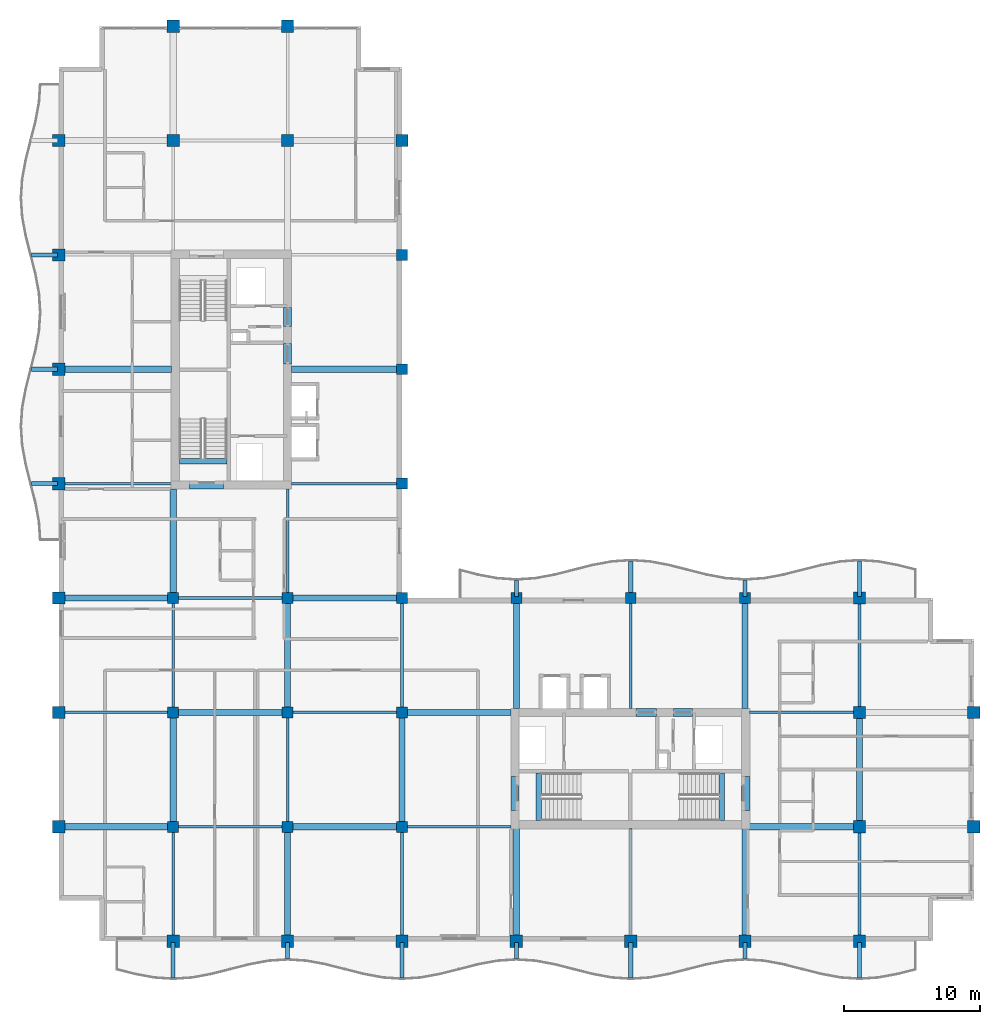
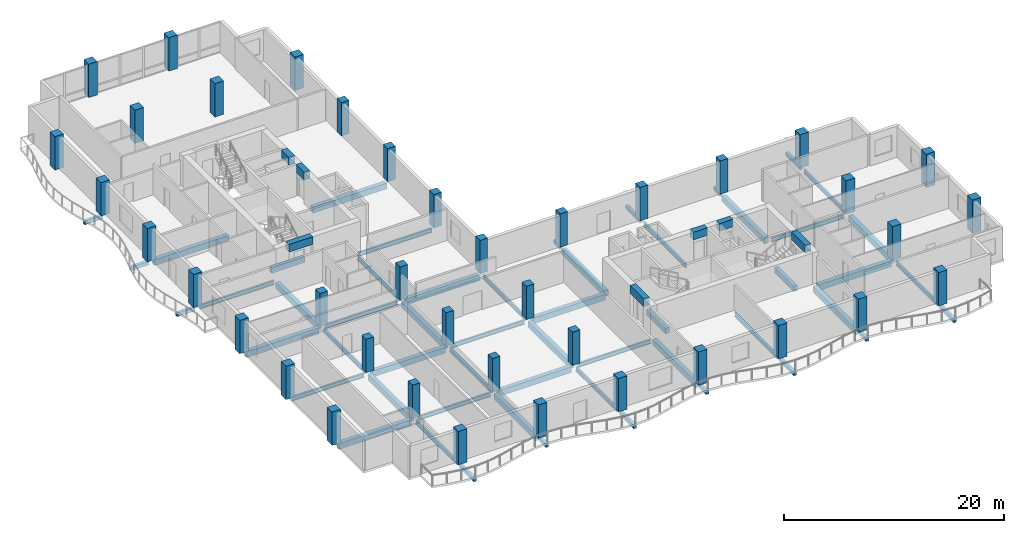
# One storey, part 1 of 16: 61 beams, 39 columns.
"""IFC4 building model written with IfcOpenShell, lengths in metres."""

from ifc_helpers import new_model, si_unit, direction, frame, origin, origin_2d, place, context, subcontext, project, spatial, rectangle, i_section, extrude, material, material_profile, profile_set, type_object, element, save


model = new_model("IFC4")

# Units and contexts
model_context = context("Model", 3, precision=1e-05, world=origin(), true_north=direction((0.0, 1.0)))
body_context = subcontext(model_context, "Body", "Model", "MODEL_VIEW")
ifc_project = project(units=[si_unit("LENGTHUNIT", "METRE"), si_unit("AREAUNIT", "SQUARE_METRE"), si_unit("VOLUMEUNIT", "CUBIC_METRE"), si_unit("PLANEANGLEUNIT", "RADIAN"), si_unit("MASSUNIT", "GRAM", prefix="KILO")], contexts=[model_context])

# Site, building, storey
site_placement = place(None, origin())
site = spatial("IfcSite", under=ifc_project, at=site_placement, CompositionType="ELEMENT")
building_placement = place(site_placement, origin())
building = spatial("IfcBuilding", under=site, at=building_placement, Name="Koriwani Terraces Tower", CompositionType="ELEMENT")
storey_placement = place(building_placement, frame((0.0, 0.0, 267.5)))
storey = spatial("IfcBuildingStorey", under=building, at=storey_placement, Name="L66", CompositionType="ELEMENT", Elevation=267.5)

# Columns
ifc_material_1 = material(Name="Concrete C50/60", Category="concrete")
ifc_material_profile_1 = material_profile(ifc_material_1, rectangle(XDim=0.800048828125, YDim=0.800048828125, at=origin_2d()), Name="Concrete C50/60", Category="LoadBearing")
ifc_profile_set_1 = profile_set([ifc_material_profile_1], Name="Concrete C50/60")
column_type_1 = type_object("IfcColumnType", Name="COL_RC_800X800", PredefinedType="COLUMN", material=ifc_profile_set_1)
for number, where, z_axis, x_axis, name in (
    (1, (16.800048828125, 16.800048828125, 0.0), (0.0, 0.0, 1.0), (1.0, 0.0, 0.0), "L66 Column 3/C"),
    (2, (16.800048828125, 25.199951171875, 0.0), (0.0, 0.0, 1.0), (1.0, 0.0, 0.0), "L66 Column 3/D"),
    (3, (16.800048828125, 33.60009765625, 0.0), (0.0, 0.0, 1.0), (1.0, 0.0, 0.0), "L66 Column 3/E"),
    (4, (25.199951171875, 16.800048828125, 0.0), (0.0, 0.0, 1.0), (1.0, 0.0, 0.0), "L66 Column 4/C"),
    (5, (25.199951171875, 25.199951171875, 0.0), (0.0, 0.0, 1.0), (1.0, 0.0, 0.0), "L66 Column 4/D"),
    (6, (25.199951171875, 33.60009765625, 0.0), (0.0, 0.0, 1.0), (1.0, 0.0, 0.0), "L66 Column 4/E"),
    (7, (33.60009765625, 16.800048828125, 0.0), (0.0, 0.0, 1.0), (1.0, 0.0, 0.0), "L66 Column 5/C"),
    (8, (33.60009765625, 25.199951171875, 0.0), (0.0, 0.0, 1.0), (1.0, 0.0, 0.0), "L66 Column 5/D"),
    (9, (33.60009765625, 33.60009765625, 0.0), (0.0, 0.0, 1.0), (1.0, 0.0, 0.0), "L66 Column 5/E"),
    (10, (33.60009765625, 42.0, 0.0), (0.0, 0.0, 1.0), (1.0, 0.0, 0.0), "L66 Column 5/F"),
    (11, (33.60009765625, 50.39990234375, 0.0), (0.0, 0.0, 1.0), (1.0, 0.0, 0.0), "L66 Column 5/G"),
    (12, (33.60009765625, 58.800048828125, 0.0), (0.0, 0.0, 1.0), (1.0, 0.0, 0.0), "L66 Column 5/H"),
    (13, (42.0, 33.60009765625, 0.0), (0.0, 0.0, 1.0), (1.0, 0.0, 0.0), "L66 Column 6/E"),
    (14, (50.39990234375, 33.60009765625, 0.0), (0.0, 0.0, 1.0), (1.0, 0.0, 0.0), "L66 Column 7/E"),
    (15, (58.800048828125, 33.60009765625, 0.0), (0.0, 0.0, 1.0), (1.0, 0.0, 0.0), "L66 Column 8/E"),
):
    element("IfcColumn", number, at=place(storey_placement, frame(where, z_axis=z_axis, x_axis=x_axis)), inside=storey, type_object=column_type_1, Name=name, PredefinedType="COLUMN", context=body_context, shape_type="SweptSolid", body=[
        extrude(rectangle(XDim=0.800048828125, YDim=0.800048828125, at=origin_2d()), origin(), (0.0, 0.0, 1.0), 3.699951171875),
    ])
ifc_material_profile_2 = material_profile(ifc_material_1, rectangle(XDim=0.89990234375, YDim=0.89990234375, at=origin_2d()), Name="Concrete C50/60", Category="LoadBearing")
ifc_profile_set_2 = profile_set([ifc_material_profile_2], Name="Concrete C50/60")
column_type_2 = type_object("IfcColumnType", Name="COL_RC_900X900", PredefinedType="COLUMN", material=ifc_profile_set_2)
for number, where, z_axis, x_axis, name in (
    (16, (8.39990234375, 16.800048828125, 0.0), (0.0, 0.0, 1.0), (1.0, 0.0, 0.0), "L66 Column 2/C"),
    (17, (8.39990234375, 25.199951171875, 0.0), (0.0, 0.0, 1.0), (1.0, 0.0, 0.0), "L66 Column 2/D"),
    (18, (8.39990234375, 33.60009765625, 0.0), (0.0, 0.0, 1.0), (1.0, 0.0, 0.0), "L66 Column 2/E"),
    (19, (8.39990234375, 42.0, 0.0), (0.0, 0.0, 1.0), (1.0, 0.0, 0.0), "L66 Column 2/F"),
    (20, (8.39990234375, 50.39990234375, 0.0), (0.0, 0.0, 1.0), (1.0, 0.0, 0.0), "L66 Column 2/G"),
    (21, (8.39990234375, 58.800048828125, 0.0), (0.0, 0.0, 1.0), (1.0, 0.0, 0.0), "L66 Column 2/H"),
    (22, (8.39990234375, 67.199951171875, 0.0), (0.0, 0.0, 1.0), (1.0, 0.0, 0.0), "L66 Column 2/I"),
    (23, (16.800048828125, 8.39990234375, 0.0), (0.0, 0.0, 1.0), (1.0, 0.0, 0.0), "L66 Column 3/B"),
    (24, (16.800048828125, 67.199951171875, 0.0), (0.0, 0.0, 1.0), (1.0, 0.0, 0.0), "L66 Column 3/I"),
    (25, (16.800048828125, 75.60009765625, 0.0), (0.0, 0.0, 1.0), (1.0, 0.0, 0.0), "L66 Column 3/J"),
    (26, (25.199951171875, 8.39990234375, 0.0), (0.0, 0.0, 1.0), (1.0, 0.0, 0.0), "L66 Column 4/B"),
    (27, (25.199951171875, 67.199951171875, 0.0), (0.0, 0.0, 1.0), (1.0, 0.0, 0.0), "L66 Column 4/I"),
    (28, (25.199951171875, 75.60009765625, 0.0), (0.0, 0.0, 1.0), (1.0, 0.0, 0.0), "L66 Column 4/J"),
    (29, (33.60009765625, 8.39990234375, 0.0), (0.0, 0.0, 1.0), (1.0, 0.0, 0.0), "L66 Column 5/B"),
    (30, (33.60009765625, 67.199951171875, 0.0), (0.0, 0.0, 1.0), (1.0, 0.0, 0.0), "L66 Column 5/I"),
    (31, (42.0, 8.39990234375, 0.0), (0.0, 0.0, 1.0), (1.0, 0.0, 0.0), "L66 Column 6/B"),
    (32, (50.39990234375, 8.39990234375, 0.0), (0.0, 0.0, 1.0), (1.0, 0.0, 0.0), "L66 Column 7/B"),
    (33, (58.800048828125, 8.39990234375, 0.0), (0.0, 0.0, 1.0), (1.0, 0.0, 0.0), "L66 Column 8/B"),
    (34, (67.199951171875, 8.39990234375, 0.0), (0.0, 0.0, 1.0), (1.0, 0.0, 0.0), "L66 Column 9/B"),
    (35, (67.199951171875, 16.800048828125, 0.0), (0.0, 0.0, 1.0), (1.0, 0.0, 0.0), "L66 Column 9/C"),
    (36, (67.199951171875, 25.199951171875, 0.0), (0.0, 0.0, 1.0), (1.0, 0.0, 0.0), "L66 Column 9/D"),
    (37, (67.199951171875, 33.60009765625, 0.0), (0.0, 0.0, 1.0), (1.0, 0.0, 0.0), "L66 Column 9/E"),
    (38, (75.60009765625, 16.800048828125, 0.0), (0.0, 0.0, 1.0), (1.0, 0.0, 0.0), "L66 Column 10/C"),
    (39, (75.60009765625, 25.199951171875, 0.0), (0.0, 0.0, 1.0), (1.0, 0.0, 0.0), "L66 Column 10/D"),
):
    element("IfcColumn", number, at=place(storey_placement, frame(where, z_axis=z_axis, x_axis=x_axis)), inside=storey, type_object=column_type_2, Name=name, PredefinedType="COLUMN", context=body_context, shape_type="SweptSolid", body=[
        extrude(rectangle(XDim=0.89990234375, YDim=0.89990234375, at=origin_2d()), origin(), (0.0, 0.0, 1.0), 3.699951171875),
    ])

# Beams
ifc_material_2 = material(Name="Concrete C40/50", Category="concrete")
ifc_material_profile_3 = material_profile(ifc_material_2, rectangle(XDim=0.300048828125, YDim=0.39990234375, at=origin_2d()), Name="Concrete C40/50", Category="LoadBearing")
ifc_profile_set_3 = profile_set([ifc_material_profile_3], Name="Concrete C40/50")
beam_type_1 = type_object("IfcBeamType", Name="BEAM_RC_BALCONY_RIB_300X400", PredefinedType="JOIST", material=ifc_profile_set_3)
beam_1_placement = place(storey_placement, frame((16.800048828125, 5.699951171875, -0.429931640625), z_axis=(0.0, 1.0, 0.0), x_axis=(-1.0, 0.0, 0.0)))
element("IfcBeam", 40, at=beam_1_placement, inside=storey, type_object=beam_type_1, Name="L66 Balcony Bracket Rib S-1", PredefinedType="JOIST", context=body_context, shape_type="SweptSolid", body=[
    extrude(rectangle(XDim=0.300048828125, YDim=0.39990234375, at=origin_2d()), origin(), (0.0, 0.0, 1.0), 2.60009765625),
])
beam_2_placement = place(storey_placement, frame((25.199951171875, 7.1201171875, -0.429931640625), z_axis=(0.0, 1.0, 0.0), x_axis=(-1.0, 0.0, 0.0)))
element("IfcBeam", 41, at=beam_2_placement, inside=storey, type_object=beam_type_1, Name="L66 Balcony Bracket Rib S-2", PredefinedType="JOIST", context=body_context, shape_type="SweptSolid", body=[
    extrude(rectangle(XDim=0.300048828125, YDim=0.39990234375, at=origin_2d()), origin(), (0.0, 0.0, 1.0), 1.179931640625),
])
beam_3_placement = place(storey_placement, frame((33.60009765625, 5.699951171875, -0.429931640625), z_axis=(0.0, 1.0, 0.0), x_axis=(-1.0, 0.0, 0.0)))
element("IfcBeam", 42, at=beam_3_placement, inside=storey, type_object=beam_type_1, Name="L66 Balcony Bracket Rib S-3", PredefinedType="JOIST", context=body_context, shape_type="SweptSolid", body=[
    extrude(rectangle(XDim=0.300048828125, YDim=0.39990234375, at=origin_2d()), origin(), (0.0, 0.0, 1.0), 2.60009765625),
])
beam_4_placement = place(storey_placement, frame((42.0, 7.1201171875, -0.429931640625), z_axis=(0.0, 1.0, 0.0), x_axis=(-1.0, 0.0, 0.0)))
element("IfcBeam", 43, at=beam_4_placement, inside=storey, type_object=beam_type_1, Name="L66 Balcony Bracket Rib S-4", PredefinedType="JOIST", context=body_context, shape_type="SweptSolid", body=[
    extrude(rectangle(XDim=0.300048828125, YDim=0.39990234375, at=origin_2d()), origin(), (0.0, 0.0, 1.0), 1.179931640625),
])
beam_5_placement = place(storey_placement, frame((50.39990234375, 5.699951171875, -0.429931640625), z_axis=(0.0, 1.0, 0.0), x_axis=(-1.0, 0.0, 0.0)))
element("IfcBeam", 44, at=beam_5_placement, inside=storey, type_object=beam_type_1, Name="L66 Balcony Bracket Rib S-5", PredefinedType="JOIST", context=body_context, shape_type="SweptSolid", body=[
    extrude(rectangle(XDim=0.300048828125, YDim=0.39990234375, at=origin_2d()), origin(), (0.0, 0.0, 1.0), 2.60009765625),
])
beam_6_placement = place(storey_placement, frame((58.800048828125, 7.1201171875, -0.429931640625), z_axis=(0.0, 1.0, 0.0), x_axis=(-1.0, 0.0, 0.0)))
element("IfcBeam", 45, at=beam_6_placement, inside=storey, type_object=beam_type_1, Name="L66 Balcony Bracket Rib S-6", PredefinedType="JOIST", context=body_context, shape_type="SweptSolid", body=[
    extrude(rectangle(XDim=0.300048828125, YDim=0.39990234375, at=origin_2d()), origin(), (0.0, 0.0, 1.0), 1.179931640625),
])
beam_7_placement = place(storey_placement, frame((67.199951171875, 5.699951171875, -0.429931640625), z_axis=(0.0, 1.0, 0.0), x_axis=(-1.0, 0.0, 0.0)))
element("IfcBeam", 46, at=beam_7_placement, inside=storey, type_object=beam_type_1, Name="L66 Balcony Bracket Rib S-7", PredefinedType="JOIST", context=body_context, shape_type="SweptSolid", body=[
    extrude(rectangle(XDim=0.300048828125, YDim=0.39990234375, at=origin_2d()), origin(), (0.0, 0.0, 1.0), 2.60009765625),
])
for number, where, z_axis, x_axis, name in (
    (47, (6.409912109375, 42.0, -0.429931640625), (1.0, 0.0, 0.0), (0.0, 1.0, 0.0), "L66 Balcony Bracket Rib W-1"),
    (48, (6.409912109375, 50.39990234375, -0.429931640625), (1.0, 0.0, 0.0), (0.0, 1.0, 0.0), "L66 Balcony Bracket Rib W-2"),
    (49, (6.409912109375, 58.800048828125, -0.429931640625), (1.0, 0.0, 0.0), (0.0, 1.0, 0.0), "L66 Balcony Bracket Rib W-3"),
):
    element("IfcBeam", number, at=place(storey_placement, frame(where, z_axis=z_axis, x_axis=x_axis)), inside=storey, type_object=beam_type_1, Name=name, PredefinedType="JOIST", context=body_context, shape_type="SweptSolid", body=[
        extrude(rectangle(XDim=0.300048828125, YDim=0.39990234375, at=origin_2d()), origin(), (0.0, 0.0, 1.0), 1.89013671875),
    ])
beam_8_placement = place(storey_placement, frame((42.0, 33.699951171875, -0.429931640625), z_axis=(0.0, 1.0, 0.0), x_axis=(-1.0, 0.0, 0.0)))
element("IfcBeam", 50, at=beam_8_placement, inside=storey, type_object=beam_type_1, Name="L66 Balcony Bracket Rib NE-1", PredefinedType="JOIST", context=body_context, shape_type="SweptSolid", body=[
    extrude(rectangle(XDim=0.300048828125, YDim=0.39990234375, at=origin_2d()), origin(), (0.0, 0.0, 1.0), 1.179931640625),
])
beam_9_placement = place(storey_placement, frame((50.39990234375, 33.699951171875, -0.429931640625), z_axis=(0.0, 1.0, 0.0), x_axis=(-1.0, 0.0, 0.0)))
element("IfcBeam", 51, at=beam_9_placement, inside=storey, type_object=beam_type_1, Name="L66 Balcony Bracket Rib NE-2", PredefinedType="JOIST", context=body_context, shape_type="SweptSolid", body=[
    extrude(rectangle(XDim=0.300048828125, YDim=0.39990234375, at=origin_2d()), origin(), (0.0, 0.0, 1.0), 2.60009765625),
])
beam_10_placement = place(storey_placement, frame((58.800048828125, 33.699951171875, -0.429931640625), z_axis=(0.0, 1.0, 0.0), x_axis=(-1.0, 0.0, 0.0)))
element("IfcBeam", 52, at=beam_10_placement, inside=storey, type_object=beam_type_1, Name="L66 Balcony Bracket Rib NE-3", PredefinedType="JOIST", context=body_context, shape_type="SweptSolid", body=[
    extrude(rectangle(XDim=0.300048828125, YDim=0.39990234375, at=origin_2d()), origin(), (0.0, 0.0, 1.0), 1.179931640625),
])
beam_11_placement = place(storey_placement, frame((67.199951171875, 33.699951171875, -0.429931640625), z_axis=(0.0, 1.0, 0.0), x_axis=(-1.0, 0.0, 0.0)))
element("IfcBeam", 53, at=beam_11_placement, inside=storey, type_object=beam_type_1, Name="L66 Balcony Bracket Rib NE-4", PredefinedType="JOIST", context=body_context, shape_type="SweptSolid", body=[
    extrude(rectangle(XDim=0.300048828125, YDim=0.39990234375, at=origin_2d()), origin(), (0.0, 0.0, 1.0), 2.60009765625),
])
ifc_material_profile_4 = material_profile(ifc_material_1, rectangle(XDim=0.60009765625, YDim=0.85009765625, at=origin_2d()), Name="Concrete C50/60", Category="LoadBearing")
ifc_profile_set_4 = profile_set([ifc_material_profile_4], Name="Concrete C50/60")
beam_type_2 = type_object("IfcBeamType", Name="BEAM_RC_COUPLING_600X850", PredefinedType="LINTEL", material=ifc_profile_set_4)
beam_12_placement = place(storey_placement, frame((25.199951171875, 50.800048828125, 3.044921875), z_axis=(0.0, 1.0, 0.0), x_axis=(-1.0, 0.0, 0.0)))
element("IfcBeam", 54, at=beam_12_placement, inside=storey, type_object=beam_type_2, Name="L66 Core Coupling Lintel Beam WE1", PredefinedType="LINTEL", context=body_context, shape_type="SweptSolid", body=[
    extrude(rectangle(XDim=0.60009765625, YDim=0.85009765625, at=origin_2d()), origin(), (0.0, 0.0, 1.0), 1.47998046875),
])
beam_13_placement = place(storey_placement, frame((25.199951171875, 53.550048828125, 3.044921875), z_axis=(0.0, 1.0, 0.0), x_axis=(-1.0, 0.0, 0.0)))
element("IfcBeam", 55, at=beam_13_placement, inside=storey, type_object=beam_type_2, Name="L66 Core Coupling Lintel Beam WE2", PredefinedType="LINTEL", context=body_context, shape_type="SweptSolid", body=[
    extrude(rectangle(XDim=0.60009765625, YDim=0.85009765625, at=origin_2d()), origin(), (0.0, 0.0, 1.0), 1.39990234375),
])
beam_14_placement = place(storey_placement, frame((18.0, 41.89990234375, 3.044921875), z_axis=(1.0, 0.0, 0.0), x_axis=(0.0, 1.0, 0.0)))
element("IfcBeam", 56, at=beam_14_placement, inside=storey, type_object=beam_type_2, Name="L66 Core Coupling Lintel Beam WS", PredefinedType="LINTEL", context=body_context, shape_type="SweptSolid", body=[
    extrude(rectangle(XDim=0.60009765625, YDim=0.85009765625, at=origin_2d()), origin(), (0.0, 0.0, 1.0), 2.5),
])
beam_15_placement = place(storey_placement, frame((50.800048828125, 25.199951171875, 3.044921875), z_axis=(1.0, 0.0, 0.0), x_axis=(0.0, 1.0, 0.0)))
element("IfcBeam", 57, at=beam_15_placement, inside=storey, type_object=beam_type_2, Name="L66 Core Coupling Lintel Beam EN1", PredefinedType="LINTEL", context=body_context, shape_type="SweptSolid", body=[
    extrude(rectangle(XDim=0.60009765625, YDim=0.85009765625, at=origin_2d()), origin(), (0.0, 0.0, 1.0), 1.47998046875),
])
beam_16_placement = place(storey_placement, frame((53.550048828125, 25.199951171875, 3.044921875), z_axis=(1.0, 0.0, 0.0), x_axis=(0.0, 1.0, 0.0)))
element("IfcBeam", 58, at=beam_16_placement, inside=storey, type_object=beam_type_2, Name="L66 Core Coupling Lintel Beam EN2", PredefinedType="LINTEL", context=body_context, shape_type="SweptSolid", body=[
    extrude(rectangle(XDim=0.60009765625, YDim=0.85009765625, at=origin_2d()), origin(), (0.0, 0.0, 1.0), 1.39990234375),
])
for number, where, z_axis, x_axis, name in (
    (59, (41.89990234375, 18.0, 3.044921875), (0.0, 1.0, 0.0), (-1.0, 0.0, 0.0), "L66 Core Coupling Lintel Beam EW"),
    (60, (58.85009765625, 18.0, 3.044921875), (0.0, 1.0, 0.0), (-1.0, 0.0, 0.0), "L66 Core Coupling Lintel Beam EE"),
):
    element("IfcBeam", number, at=place(storey_placement, frame(where, z_axis=z_axis, x_axis=x_axis)), inside=storey, type_object=beam_type_2, Name=name, PredefinedType="LINTEL", context=body_context, shape_type="SweptSolid", body=[
        extrude(rectangle(XDim=0.60009765625, YDim=0.85009765625, at=origin_2d()), origin(), (0.0, 0.0, 1.0), 2.5),
    ])
ifc_material_profile_5 = material_profile(ifc_material_2, rectangle(XDim=0.39990234375, YDim=0.60009765625, at=origin_2d()), Name="Concrete C40/50", Category="LoadBearing")
ifc_profile_set_5 = profile_set([ifc_material_profile_5], Name="Concrete C40/50")
beam_type_3 = type_object("IfcBeamType", Name="BEAM_RC_GRID_400X600", PredefinedType="BEAM", material=ifc_profile_set_5)
for number, where, z_axis, x_axis, name in (
    (61, (17.25, 43.655029296875, -0.300048828125), (1.0, 0.0, 0.0), (0.0, 1.0, 0.0), "L66 Stairwell Header Trimmer Beam ST-W1"),
    (62, (43.655029296875, 17.25, -0.300048828125), (0.0, 1.0, 0.0), (-1.0, 0.0, 0.0), "L66 Stairwell Header Trimmer Beam ST-E1"),
    (63, (57.094970703125, 17.25, -0.300048828125), (0.0, 1.0, 0.0), (-1.0, 0.0, 0.0), "L66 Stairwell Header Trimmer Beam ST-E2"),
):
    element("IfcBeam", number, at=place(storey_placement, frame(where, z_axis=z_axis, x_axis=x_axis)), inside=storey, type_object=beam_type_3, Name=name, PredefinedType="BEAM", context=body_context, shape_type="SweptSolid", body=[
        extrude(rectangle(XDim=0.39990234375, YDim=0.60009765625, at=origin_2d()), origin(), (0.0, 0.0, 1.0), 3.5),
    ])
ifc_material_profile_6 = material_profile(ifc_material_1, rectangle(XDim=0.449951171875, YDim=0.64990234375, at=origin_2d()), Name="Concrete C50/60", Category="LoadBearing")
ifc_profile_set_6 = profile_set([ifc_material_profile_6], Name="Concrete C50/60")
beam_type_4 = type_object("IfcBeamType", Name="BEAM_RC_GRID_450X650", PredefinedType="BEAM", material=ifc_profile_set_6)
beam_17_placement = place(storey_placement, frame((8.830078125, 16.800048828125, -0.554931640625), z_axis=(1.0, 0.0, 0.0), x_axis=(0.0, 1.0, 0.0)))
element("IfcBeam", 64, at=beam_17_placement, inside=storey, type_object=beam_type_4, Name="L66 Grid Beam C (8.4-16.8m)", PredefinedType="BEAM", context=body_context, shape_type="SweptSolid", body=[
    extrude(rectangle(XDim=0.449951171875, YDim=0.64990234375, at=origin_2d()), origin(), (0.0, 0.0, 1.0), 7.58984375),
])
beam_18_placement = place(storey_placement, frame((25.580078125, 16.800048828125, -0.554931640625), z_axis=(1.0, 0.0, 0.0), x_axis=(0.0, 1.0, 0.0)))
element("IfcBeam", 65, at=beam_18_placement, inside=storey, type_object=beam_type_4, Name="L66 Grid Beam C (25.2-33.6m)", PredefinedType="BEAM", context=body_context, shape_type="SweptSolid", body=[
    extrude(rectangle(XDim=0.449951171875, YDim=0.64990234375, at=origin_2d()), origin(), (0.0, 0.0, 1.0), 7.639892578125),
])
for number, where, z_axis, x_axis, name in (
    (66, (59.1298828125, 16.800048828125, -0.554931640625), (1.0, 0.0, 0.0), (0.0, 1.0, 0.0), "L66 Grid Beam C (58.8-67.2m)"),
    (67, (17.179931640625, 25.199951171875, -0.554931640625), (1.0, 0.0, 0.0), (0.0, 1.0, 0.0), "L66 Grid Beam D (16.8-25.2m)"),
    (68, (33.97998046875, 25.199951171875, -0.554931640625), (1.0, 0.0, 0.0), (0.0, 1.0, 0.0), "L66 Grid Beam D (33.6-42.0m)"),
):
    element("IfcBeam", number, at=place(storey_placement, frame(where, z_axis=z_axis, x_axis=x_axis)), inside=storey, type_object=beam_type_4, Name=name, PredefinedType="BEAM", context=body_context, shape_type="SweptSolid", body=[
        extrude(rectangle(XDim=0.449951171875, YDim=0.64990234375, at=origin_2d()), origin(), (0.0, 0.0, 1.0), 7.64013671875),
    ])
beam_19_placement = place(storey_placement, frame((8.830078125, 33.60009765625, -0.554931640625), z_axis=(1.0, 0.0, 0.0), x_axis=(0.0, 1.0, 0.0)))
element("IfcBeam", 69, at=beam_19_placement, inside=storey, type_object=beam_type_4, Name="L66 Grid Beam E (8.4-16.8m)", PredefinedType="BEAM", context=body_context, shape_type="SweptSolid", body=[
    extrude(rectangle(XDim=0.449951171875, YDim=0.64990234375, at=origin_2d()), origin(), (0.0, 0.0, 1.0), 7.58984375),
])
beam_20_placement = place(storey_placement, frame((25.580078125, 33.60009765625, -0.554931640625), z_axis=(1.0, 0.0, 0.0), x_axis=(0.0, 1.0, 0.0)))
element("IfcBeam", 70, at=beam_20_placement, inside=storey, type_object=beam_type_4, Name="L66 Grid Beam E (25.2-33.6m)", PredefinedType="BEAM", context=body_context, shape_type="SweptSolid", body=[
    extrude(rectangle(XDim=0.449951171875, YDim=0.64990234375, at=origin_2d()), origin(), (0.0, 0.0, 1.0), 7.639892578125),
])
beam_21_placement = place(storey_placement, frame((8.830078125, 50.39990234375, -0.554931640625), z_axis=(1.0, 0.0, 0.0), x_axis=(0.0, 1.0, 0.0)))
element("IfcBeam", 71, at=beam_21_placement, inside=storey, type_object=beam_type_4, Name="L66 Grid Beam G (8.4-16.8m)", PredefinedType="BEAM", context=body_context, shape_type="SweptSolid", body=[
    extrude(rectangle(XDim=0.449951171875, YDim=0.64990234375, at=origin_2d()), origin(), (0.0, 0.0, 1.0), 7.83984375),
])
beam_22_placement = place(storey_placement, frame((25.47998046875, 50.39990234375, -0.554931640625), z_axis=(1.0, 0.0, 0.0), x_axis=(0.0, 1.0, 0.0)))
element("IfcBeam", 72, at=beam_22_placement, inside=storey, type_object=beam_type_4, Name="L66 Grid Beam G (25.2-33.6m)", PredefinedType="BEAM", context=body_context, shape_type="SweptSolid", body=[
    extrude(rectangle(XDim=0.449951171875, YDim=0.64990234375, at=origin_2d()), origin(), (0.0, 0.0, 1.0), 7.739990234375),
])
for number, where, z_axis, x_axis, name in (
    (73, (16.800048828125, 17.179931640625, -0.554931640625), (0.0, 1.0, 0.0), (-1.0, 0.0, 0.0), "L66 Grid Beam 3 (16.8-25.2m)"),
    (74, (16.800048828125, 33.97998046875, -0.554931640625), (0.0, 1.0, 0.0), (-1.0, 0.0, 0.0), "L66 Grid Beam 3 (33.6-42.0m)"),
):
    element("IfcBeam", number, at=place(storey_placement, frame(where, z_axis=z_axis, x_axis=x_axis)), inside=storey, type_object=beam_type_4, Name=name, PredefinedType="BEAM", context=body_context, shape_type="SweptSolid", body=[
        extrude(rectangle(XDim=0.449951171875, YDim=0.64990234375, at=origin_2d()), origin(), (0.0, 0.0, 1.0), 7.64013671875),
    ])
beam_23_placement = place(storey_placement, frame((25.199951171875, 8.830078125, -0.554931640625), z_axis=(0.0, 1.0, 0.0), x_axis=(-1.0, 0.0, 0.0)))
element("IfcBeam", 75, at=beam_23_placement, inside=storey, type_object=beam_type_4, Name="L66 Grid Beam 4 (8.4-16.8m)", PredefinedType="BEAM", context=body_context, shape_type="SweptSolid", body=[
    extrude(rectangle(XDim=0.449951171875, YDim=0.64990234375, at=origin_2d()), origin(), (0.0, 0.0, 1.0), 7.58984375),
])
beam_24_placement = place(storey_placement, frame((25.199951171875, 25.580078125, -0.554931640625), z_axis=(0.0, 1.0, 0.0), x_axis=(-1.0, 0.0, 0.0)))
element("IfcBeam", 76, at=beam_24_placement, inside=storey, type_object=beam_type_4, Name="L66 Grid Beam 4 (25.2-33.6m)", PredefinedType="BEAM", context=body_context, shape_type="SweptSolid", body=[
    extrude(rectangle(XDim=0.449951171875, YDim=0.64990234375, at=origin_2d()), origin(), (0.0, 0.0, 1.0), 7.639892578125),
])
beam_25_placement = place(storey_placement, frame((33.60009765625, 17.179931640625, -0.554931640625), z_axis=(0.0, 1.0, 0.0), x_axis=(-1.0, 0.0, 0.0)))
element("IfcBeam", 77, at=beam_25_placement, inside=storey, type_object=beam_type_4, Name="L66 Grid Beam 5 (16.8-25.2m)", PredefinedType="BEAM", context=body_context, shape_type="SweptSolid", body=[
    extrude(rectangle(XDim=0.449951171875, YDim=0.64990234375, at=origin_2d()), origin(), (0.0, 0.0, 1.0), 7.64013671875),
])
beam_26_placement = place(storey_placement, frame((42.0, 8.830078125, -0.554931640625), z_axis=(0.0, 1.0, 0.0), x_axis=(-1.0, 0.0, 0.0)))
element("IfcBeam", 78, at=beam_26_placement, inside=storey, type_object=beam_type_4, Name="L66 Grid Beam 6 (8.4-16.8m)", PredefinedType="BEAM", context=body_context, shape_type="SweptSolid", body=[
    extrude(rectangle(XDim=0.449951171875, YDim=0.64990234375, at=origin_2d()), origin(), (0.0, 0.0, 1.0), 7.83984375),
])
beam_27_placement = place(storey_placement, frame((42.0, 25.47998046875, -0.554931640625), z_axis=(0.0, 1.0, 0.0), x_axis=(-1.0, 0.0, 0.0)))
element("IfcBeam", 79, at=beam_27_placement, inside=storey, type_object=beam_type_4, Name="L66 Grid Beam 6 (25.2-33.6m)", PredefinedType="BEAM", context=body_context, shape_type="SweptSolid", body=[
    extrude(rectangle(XDim=0.449951171875, YDim=0.64990234375, at=origin_2d()), origin(), (0.0, 0.0, 1.0), 7.739990234375),
])
beam_28_placement = place(storey_placement, frame((58.800048828125, 8.830078125, -0.554931640625), z_axis=(0.0, 1.0, 0.0), x_axis=(-1.0, 0.0, 0.0)))
element("IfcBeam", 80, at=beam_28_placement, inside=storey, type_object=beam_type_4, Name="L66 Grid Beam 8 (8.4-16.8m)", PredefinedType="BEAM", context=body_context, shape_type="SweptSolid", body=[
    extrude(rectangle(XDim=0.449951171875, YDim=0.64990234375, at=origin_2d()), origin(), (0.0, 0.0, 1.0), 7.83984375),
])
beam_29_placement = place(storey_placement, frame((58.800048828125, 25.47998046875, -0.554931640625), z_axis=(0.0, 1.0, 0.0), x_axis=(-1.0, 0.0, 0.0)))
element("IfcBeam", 81, at=beam_29_placement, inside=storey, type_object=beam_type_4, Name="L66 Grid Beam 8 (25.2-33.6m)", PredefinedType="BEAM", context=body_context, shape_type="SweptSolid", body=[
    extrude(rectangle(XDim=0.449951171875, YDim=0.64990234375, at=origin_2d()), origin(), (0.0, 0.0, 1.0), 7.739990234375),
])
beam_30_placement = place(storey_placement, frame((67.199951171875, 17.22998046875, -0.554931640625), z_axis=(0.0, 1.0, 0.0), x_axis=(-1.0, 0.0, 0.0)))
element("IfcBeam", 82, at=beam_30_placement, inside=storey, type_object=beam_type_4, Name="L66 Grid Beam 9 (16.8-25.2m)", PredefinedType="BEAM", context=body_context, shape_type="SweptSolid", body=[
    extrude(rectangle(XDim=0.449951171875, YDim=0.64990234375, at=origin_2d()), origin(), (0.0, 0.0, 1.0), 7.5400390625),
])
ifc_material_3 = material(Name="Steel ASTM A572 Grade 50", Category="steel")
ifc_material_profile_7 = material_profile(ifc_material_3, i_section(OverallWidth=0.193115234375, OverallDepth=0.462890625, WebThickness=0.0107421875, FlangeThickness=0.017333984375, at=origin_2d()), Name="Steel ASTM A572 Grade 50", Category="LoadBearing")
ifc_profile_set_7 = profile_set([ifc_material_profile_7], Name="Steel ASTM A572 Grade 50")
beam_type_5 = type_object("IfcBeamType", Name="STEEL_BEAM_W460X113", PredefinedType="BEAM", material=ifc_profile_set_7)
for number, where, z_axis, x_axis, name in (
    (83, (17.179931640625, 16.800048828125, -0.46142578125), (1.0, 0.0, 0.0), (0.0, 1.0, 0.0), "L66 Grid Beam C (16.8-25.2m)"),
    (84, (33.97998046875, 16.800048828125, -0.46142578125), (1.0, 0.0, 0.0), (0.0, 1.0, 0.0), "L66 Grid Beam C (33.6-42.0m)"),
):
    element("IfcBeam", number, at=place(storey_placement, frame(where, z_axis=z_axis, x_axis=x_axis)), inside=storey, type_object=beam_type_5, Name=name, PredefinedType="BEAM", context=body_context, shape_type="SweptSolid", body=[
        extrude(i_section(OverallWidth=0.193115234375, OverallDepth=0.462890625, WebThickness=0.0107421875, FlangeThickness=0.017333984375, at=origin_2d()), origin(), (0.0, 0.0, 1.0), 7.64013671875),
    ])
beam_31_placement = place(storey_placement, frame((8.830078125, 25.199951171875, -0.46142578125), z_axis=(1.0, 0.0, 0.0), x_axis=(0.0, 1.0, 0.0)))
element("IfcBeam", 85, at=beam_31_placement, inside=storey, type_object=beam_type_5, Name="L66 Grid Beam D (8.4-16.8m)", PredefinedType="BEAM", context=body_context, shape_type="SweptSolid", body=[
    extrude(i_section(OverallWidth=0.193115234375, OverallDepth=0.462890625, WebThickness=0.0107421875, FlangeThickness=0.017333984375, at=origin_2d()), origin(), (0.0, 0.0, 1.0), 7.58984375),
])
beam_32_placement = place(storey_placement, frame((25.580078125, 25.199951171875, -0.46142578125), z_axis=(1.0, 0.0, 0.0), x_axis=(0.0, 1.0, 0.0)))
element("IfcBeam", 86, at=beam_32_placement, inside=storey, type_object=beam_type_5, Name="L66 Grid Beam D (25.2-33.6m)", PredefinedType="BEAM", context=body_context, shape_type="SweptSolid", body=[
    extrude(i_section(OverallWidth=0.193115234375, OverallDepth=0.462890625, WebThickness=0.0107421875, FlangeThickness=0.017333984375, at=origin_2d()), origin(), (0.0, 0.0, 1.0), 7.639892578125),
])
for number, where, z_axis, x_axis, name in (
    (87, (59.1298828125, 25.199951171875, -0.46142578125), (1.0, 0.0, 0.0), (0.0, 1.0, 0.0), "L66 Grid Beam D (58.8-67.2m)"),
    (88, (17.179931640625, 33.60009765625, -0.46142578125), (1.0, 0.0, 0.0), (0.0, 1.0, 0.0), "L66 Grid Beam E (16.8-25.2m)"),
):
    element("IfcBeam", number, at=place(storey_placement, frame(where, z_axis=z_axis, x_axis=x_axis)), inside=storey, type_object=beam_type_5, Name=name, PredefinedType="BEAM", context=body_context, shape_type="SweptSolid", body=[
        extrude(i_section(OverallWidth=0.193115234375, OverallDepth=0.462890625, WebThickness=0.0107421875, FlangeThickness=0.017333984375, at=origin_2d()), origin(), (0.0, 0.0, 1.0), 7.64013671875),
    ])
beam_33_placement = place(storey_placement, frame((8.830078125, 42.0, -0.46142578125), z_axis=(1.0, 0.0, 0.0), x_axis=(0.0, 1.0, 0.0)))
element("IfcBeam", 89, at=beam_33_placement, inside=storey, type_object=beam_type_5, Name="L66 Grid Beam F (8.4-16.8m)", PredefinedType="BEAM", context=body_context, shape_type="SweptSolid", body=[
    extrude(i_section(OverallWidth=0.193115234375, OverallDepth=0.462890625, WebThickness=0.0107421875, FlangeThickness=0.017333984375, at=origin_2d()), origin(), (0.0, 0.0, 1.0), 7.83984375),
])
beam_34_placement = place(storey_placement, frame((25.47998046875, 42.0, -0.46142578125), z_axis=(1.0, 0.0, 0.0), x_axis=(0.0, 1.0, 0.0)))
element("IfcBeam", 90, at=beam_34_placement, inside=storey, type_object=beam_type_5, Name="L66 Grid Beam F (25.2-33.6m)", PredefinedType="BEAM", context=body_context, shape_type="SweptSolid", body=[
    extrude(i_section(OverallWidth=0.193115234375, OverallDepth=0.462890625, WebThickness=0.0107421875, FlangeThickness=0.017333984375, at=origin_2d()), origin(), (0.0, 0.0, 1.0), 7.739990234375),
])
beam_35_placement = place(storey_placement, frame((16.800048828125, 8.830078125, -0.46142578125), z_axis=(0.0, 1.0, 0.0), x_axis=(-1.0, 0.0, 0.0)))
element("IfcBeam", 91, at=beam_35_placement, inside=storey, type_object=beam_type_5, Name="L66 Grid Beam 3 (8.4-16.8m)", PredefinedType="BEAM", context=body_context, shape_type="SweptSolid", body=[
    extrude(i_section(OverallWidth=0.193115234375, OverallDepth=0.462890625, WebThickness=0.0107421875, FlangeThickness=0.017333984375, at=origin_2d()), origin(), (0.0, 0.0, 1.0), 7.58984375),
])
beam_36_placement = place(storey_placement, frame((16.800048828125, 25.580078125, -0.46142578125), z_axis=(0.0, 1.0, 0.0), x_axis=(-1.0, 0.0, 0.0)))
element("IfcBeam", 92, at=beam_36_placement, inside=storey, type_object=beam_type_5, Name="L66 Grid Beam 3 (25.2-33.6m)", PredefinedType="BEAM", context=body_context, shape_type="SweptSolid", body=[
    extrude(i_section(OverallWidth=0.193115234375, OverallDepth=0.462890625, WebThickness=0.0107421875, FlangeThickness=0.017333984375, at=origin_2d()), origin(), (0.0, 0.0, 1.0), 7.639892578125),
])
for number, where, z_axis, x_axis, name in (
    (93, (25.199951171875, 17.179931640625, -0.46142578125), (0.0, 1.0, 0.0), (-1.0, 0.0, 0.0), "L66 Grid Beam 4 (16.8-25.2m)"),
    (94, (25.199951171875, 33.97998046875, -0.46142578125), (0.0, 1.0, 0.0), (-1.0, 0.0, 0.0), "L66 Grid Beam 4 (33.6-42.0m)"),
):
    element("IfcBeam", number, at=place(storey_placement, frame(where, z_axis=z_axis, x_axis=x_axis)), inside=storey, type_object=beam_type_5, Name=name, PredefinedType="BEAM", context=body_context, shape_type="SweptSolid", body=[
        extrude(i_section(OverallWidth=0.193115234375, OverallDepth=0.462890625, WebThickness=0.0107421875, FlangeThickness=0.017333984375, at=origin_2d()), origin(), (0.0, 0.0, 1.0), 7.64013671875),
    ])
beam_37_placement = place(storey_placement, frame((33.60009765625, 8.830078125, -0.46142578125), z_axis=(0.0, 1.0, 0.0), x_axis=(-1.0, 0.0, 0.0)))
element("IfcBeam", 95, at=beam_37_placement, inside=storey, type_object=beam_type_5, Name="L66 Grid Beam 5 (8.4-16.8m)", PredefinedType="BEAM", context=body_context, shape_type="SweptSolid", body=[
    extrude(i_section(OverallWidth=0.193115234375, OverallDepth=0.462890625, WebThickness=0.0107421875, FlangeThickness=0.017333984375, at=origin_2d()), origin(), (0.0, 0.0, 1.0), 7.58984375),
])
beam_38_placement = place(storey_placement, frame((33.60009765625, 25.580078125, -0.46142578125), z_axis=(0.0, 1.0, 0.0), x_axis=(-1.0, 0.0, 0.0)))
element("IfcBeam", 96, at=beam_38_placement, inside=storey, type_object=beam_type_5, Name="L66 Grid Beam 5 (25.2-33.6m)", PredefinedType="BEAM", context=body_context, shape_type="SweptSolid", body=[
    extrude(i_section(OverallWidth=0.193115234375, OverallDepth=0.462890625, WebThickness=0.0107421875, FlangeThickness=0.017333984375, at=origin_2d()), origin(), (0.0, 0.0, 1.0), 7.639892578125),
])
beam_39_placement = place(storey_placement, frame((50.39990234375, 8.830078125, -0.46142578125), z_axis=(0.0, 1.0, 0.0), x_axis=(-1.0, 0.0, 0.0)))
element("IfcBeam", 97, at=beam_39_placement, inside=storey, type_object=beam_type_5, Name="L66 Grid Beam 7 (8.4-16.8m)", PredefinedType="BEAM", context=body_context, shape_type="SweptSolid", body=[
    extrude(i_section(OverallWidth=0.193115234375, OverallDepth=0.462890625, WebThickness=0.0107421875, FlangeThickness=0.017333984375, at=origin_2d()), origin(), (0.0, 0.0, 1.0), 7.83984375),
])
beam_40_placement = place(storey_placement, frame((50.39990234375, 25.47998046875, -0.46142578125), z_axis=(0.0, 1.0, 0.0), x_axis=(-1.0, 0.0, 0.0)))
element("IfcBeam", 98, at=beam_40_placement, inside=storey, type_object=beam_type_5, Name="L66 Grid Beam 7 (25.2-33.6m)", PredefinedType="BEAM", context=body_context, shape_type="SweptSolid", body=[
    extrude(i_section(OverallWidth=0.193115234375, OverallDepth=0.462890625, WebThickness=0.0107421875, FlangeThickness=0.017333984375, at=origin_2d()), origin(), (0.0, 0.0, 1.0), 7.739990234375),
])
for number, where, z_axis, x_axis, name in (
    (99, (67.199951171875, 8.830078125, -0.46142578125), (0.0, 1.0, 0.0), (-1.0, 0.0, 0.0), "L66 Grid Beam 9 (8.4-16.8m)"),
    (100, (67.199951171875, 25.6298828125, -0.46142578125), (0.0, 1.0, 0.0), (-1.0, 0.0, 0.0), "L66 Grid Beam 9 (25.2-33.6m)"),
):
    element("IfcBeam", number, at=place(storey_placement, frame(where, z_axis=z_axis, x_axis=x_axis)), inside=storey, type_object=beam_type_5, Name=name, PredefinedType="BEAM", context=body_context, shape_type="SweptSolid", body=[
        extrude(i_section(OverallWidth=0.193115234375, OverallDepth=0.462890625, WebThickness=0.0107421875, FlangeThickness=0.017333984375, at=origin_2d()), origin(), (0.0, 0.0, 1.0), 7.5400390625),
    ])

save(model, "model.ifc")
